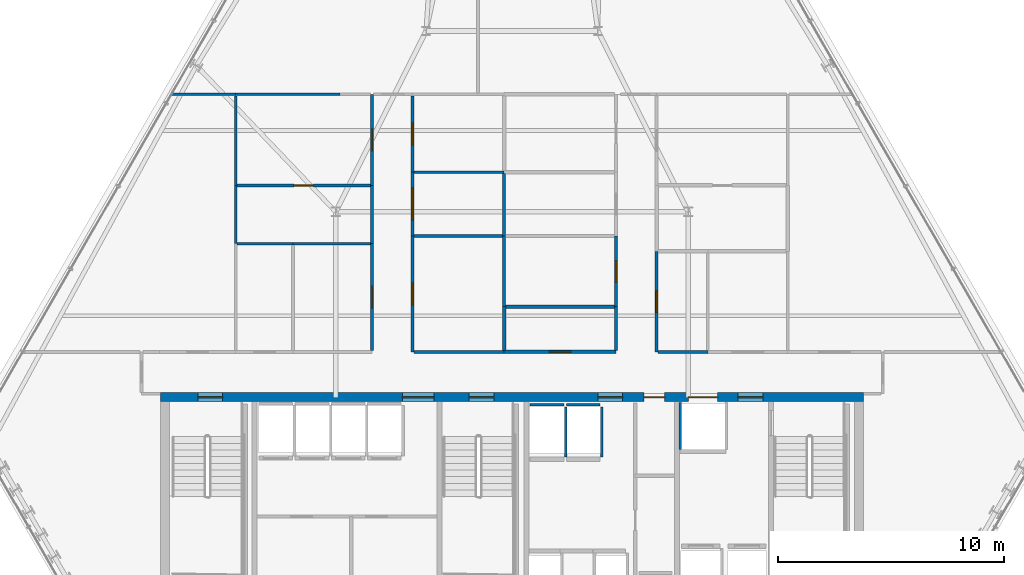
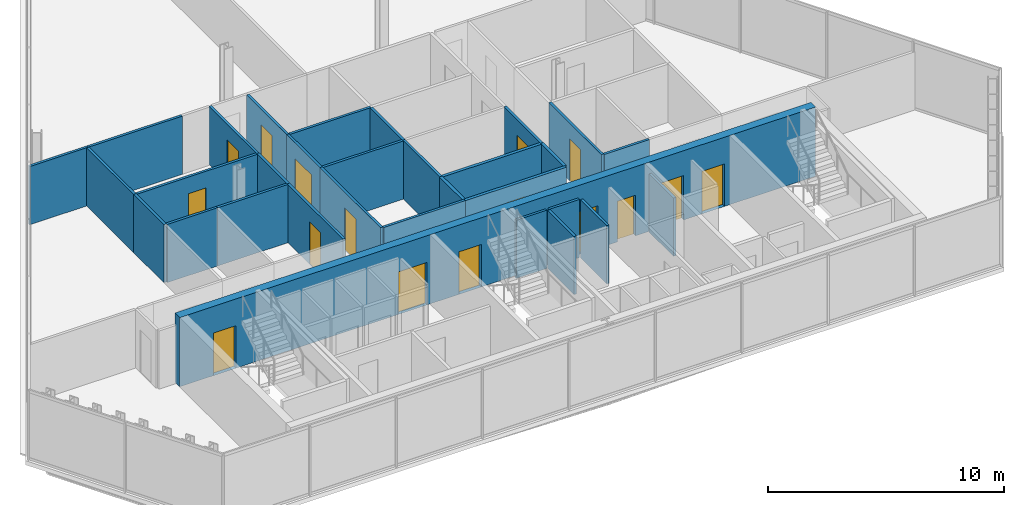
# One storey, part 28 of 33: 31 walls, 16 doors, 16 openings.
"""IFC4 building model written with IfcOpenShell, lengths in metres."""

from ifc_helpers import new_model, si_unit, direction, frame, frame_2d, origin, place, context, subcontext, project, spatial, rectangle, extrude, material, layer, layer_set, type_object, element, fill, save


model = new_model("IFC4")

# Units and contexts
model_context = context("Model", 3, precision=1e-05, world=origin(), true_north=direction((0.0, 1.0)))
body_context = subcontext(model_context, "Body", "Model", "MODEL_VIEW")
ifc_project = project(units=[si_unit("LENGTHUNIT", "METRE"), si_unit("AREAUNIT", "SQUARE_METRE"), si_unit("VOLUMEUNIT", "CUBIC_METRE"), si_unit("PLANEANGLEUNIT", "RADIAN"), si_unit("MASSUNIT", "GRAM", prefix="KILO")], contexts=[model_context])

# Site, building, storey
site_placement = place(None, origin())
site = spatial("IfcSite", under=ifc_project, at=site_placement, CompositionType="ELEMENT")
building_placement = place(site_placement, origin())
building = spatial("IfcBuilding", under=site, at=building_placement, Name="Ndaravel Arena Tower", CompositionType="ELEMENT")
storey_placement = place(building_placement, frame((0.0, 0.0, 184.0)))
storey = spatial("IfcBuildingStorey", under=building, at=storey_placement, Name="L44", CompositionType="ELEMENT", Elevation=184.0)

# Wall, openings, doors
ifc_material_1 = material(Name="Concrete C50/60", Category="concrete")
ifc_layer_1 = layer(ifc_material_1, 0.39990234375)
ifc_layer_set_1 = layer_set([ifc_layer_1], Name="Concrete C50/60")
wall_type_1 = type_object("IfcWallType", Name="WALL-CORE-400", PredefinedType="SOLIDWALL", material=ifc_layer_set_1)
wall_1_placement = place(storey_placement, frame((26.449951171875, 15.0, 0.0), z_axis=(0.0, 0.0, 1.0), x_axis=(1.0, 0.0, 0.0)))
wall_1 = element("IfcWall", 1, at=wall_1_placement, inside=storey, type_object=wall_type_1, Name="L44 Core North Shear Wall", PredefinedType="SOLIDWALL", context=body_context, shape_type="SweptSolid", body=[
    extrude(rectangle(XDim=31.10009765625, YDim=0.39990234375, at=frame_2d((15.550048828125, 0.0))), origin(), (0.0, 0.0, 1.0), 3.580078125),
])
opening_1_placement = place(wall_1_placement, frame((1.64990234375, 0.0, 0.0)))
opening_1 = element("IfcOpeningElement", 2, at=opening_1_placement, cuts=wall_1, Name="Opening FD-01", PredefinedType="OPENING", context=body_context, shape_type="SweptSolid", body=[
    extrude(rectangle(XDim=1.10009765625, YDim=2.199951171875, at=frame_2d((0.550048828125, 1.10009765625))), frame((0.0, 0.199951171875, 0.0), z_axis=(0.0, -1.0, 0.0), x_axis=(1.0, 0.0, 0.0)), (0.0, 0.0, 1.0), 0.39990234375),
])
opening_2_placement = place(wall_1_placement, frame((13.64990234375, 0.0, 0.0)))
opening_2 = element("IfcOpeningElement", 3, at=opening_2_placement, cuts=wall_1, Name="Opening FD-01", PredefinedType="OPENING", context=body_context, shape_type="SweptSolid", body=[
    extrude(rectangle(XDim=1.10009765625, YDim=2.199951171875, at=frame_2d((0.550048828125, 1.10009765625))), frame((0.0, 0.199951171875, 0.0), z_axis=(0.0, -1.0, 0.0), x_axis=(1.0, 0.0, 0.0)), (0.0, 0.0, 1.0), 0.39990234375),
])
opening_3_placement = place(wall_1_placement, frame((25.550048828125, 0.0, 0.0)))
opening_3 = element("IfcOpeningElement", 4, at=opening_3_placement, cuts=wall_1, Name="Opening FD-01", PredefinedType="OPENING", context=body_context, shape_type="SweptSolid", body=[
    extrude(rectangle(XDim=1.10009765625, YDim=2.199951171875, at=frame_2d((0.550048828125, 1.10009765625))), frame((0.0, 0.199951171875, 0.0), z_axis=(0.0, -1.0, 0.0), x_axis=(1.0, 0.0, 0.0)), (0.0, 0.0, 1.0), 0.39990234375),
])
opening_4_placement = place(wall_1_placement, frame((10.699951171875, 0.0, 0.0)))
opening_4 = element("IfcOpeningElement", 5, at=opening_4_placement, cuts=wall_1, Name="Opening ID-02", PredefinedType="OPENING", context=body_context, shape_type="SweptSolid", body=[
    extrude(rectangle(XDim=1.39990234375, YDim=2.199951171875, at=frame_2d((0.699951171875, 1.10009765625))), frame((0.0, 0.199951171875, 0.0), z_axis=(0.0, -1.0, 0.0), x_axis=(1.0, 0.0, 0.0)), (0.0, 0.0, 1.0), 0.39990234375),
])
opening_5_placement = place(wall_1_placement, frame((19.35009765625, 0.0, 0.0)))
opening_5 = element("IfcOpeningElement", 6, at=opening_5_placement, cuts=wall_1, Name="Opening FD-01", PredefinedType="OPENING", context=body_context, shape_type="SweptSolid", body=[
    extrude(rectangle(XDim=1.10009765625, YDim=2.199951171875, at=frame_2d((0.550048828125, 1.10009765625))), frame((0.0, 0.199951171875, 0.0), z_axis=(0.0, -1.0, 0.0), x_axis=(1.0, 0.0, 0.0)), (0.0, 0.0, 1.0), 0.39990234375),
])
opening_6_placement = place(wall_1_placement, frame((21.39990234375, 0.0, 0.0)))
opening_6 = element("IfcOpeningElement", 7, at=opening_6_placement, cuts=wall_1, Name="Opening RD-01", PredefinedType="OPENING", context=body_context, shape_type="SweptSolid", body=[
    extrude(rectangle(XDim=0.89990234375, YDim=2.10009765625, at=frame_2d((0.449951171875, 1.050048828125))), frame((0.0, 0.199951171875, 0.0), z_axis=(0.0, -1.0, 0.0), x_axis=(1.0, 0.0, 0.0)), (0.0, 0.0, 1.0), 0.39990234375),
])
opening_7_placement = place(wall_1_placement, frame((23.35009765625, 0.0, 0.0)))
opening_7 = element("IfcOpeningElement", 8, at=opening_7_placement, cuts=wall_1, Name="Opening LD-02", PredefinedType="OPENING", context=body_context, shape_type="SweptSolid", body=[
    extrude(rectangle(XDim=1.300048828125, YDim=2.300048828125, at=frame_2d((0.64990234375, 1.14990234375))), frame((0.0, 0.199951171875, 0.0), z_axis=(0.0, -1.0, 0.0), x_axis=(1.0, 0.0, 0.0)), (0.0, 0.0, 1.0), 0.39990234375),
])
ifc_material_2 = material(Name="Steel S355", Category="steel")
door_type_1 = type_object("IfcDoorType", Name="DT-01-STAIR-1100", OperationType="SINGLE_SWING_LEFT", PredefinedType="DOOR", material=ifc_material_2)
door_1_placement = place(opening_1_placement, origin())
door_1 = element("IfcDoor", 9, at=door_1_placement, inside=storey, type_object=door_type_1, Name="L44 Exit Stair ST-1 Door", OperationType="SINGLE_SWING_LEFT", OverallHeight=2.199951171875, OverallWidth=1.10009765625, PredefinedType="DOOR", context=body_context, shape_type="SweptSolid", body=[
    extrude(rectangle(XDim=1.10009765625, YDim=2.199951171875, at=frame_2d((0.550048828125, 1.10009765625))), frame((0.0, 0.02490234375, 0.0), z_axis=(0.0, -1.0, 0.0), x_axis=(1.0, 0.0, 0.0)), (0.0, 0.0, 1.0), 0.050048828125),
])
fill(opening_1, door_1)
door_2_placement = place(opening_2_placement, origin())
door_2 = element("IfcDoor", 10, at=door_2_placement, inside=storey, type_object=door_type_1, Name="L44 Exit Stair ST-2 Door", OperationType="SINGLE_SWING_RIGHT", OverallHeight=2.199951171875, OverallWidth=1.10009765625, PredefinedType="DOOR", context=body_context, shape_type="SweptSolid", body=[
    extrude(rectangle(XDim=1.10009765625, YDim=2.199951171875, at=frame_2d((0.550048828125, 1.10009765625))), frame((0.0, 0.02490234375, 0.0), z_axis=(0.0, -1.0, 0.0), x_axis=(1.0, 0.0, 0.0)), (0.0, 0.0, 1.0), 0.050048828125),
])
fill(opening_2, door_2)
door_3_placement = place(opening_3_placement, origin())
door_3 = element("IfcDoor", 11, at=door_3_placement, inside=storey, type_object=door_type_1, Name="L44 Firefighting Lift Lobby Door", OperationType="SINGLE_SWING_RIGHT", OverallHeight=2.199951171875, OverallWidth=1.10009765625, PredefinedType="DOOR", context=body_context, shape_type="SweptSolid", body=[
    extrude(rectangle(XDim=1.10009765625, YDim=2.199951171875, at=frame_2d((0.550048828125, 1.10009765625))), frame((0.0, 0.02490234375, 0.0), z_axis=(0.0, -1.0, 0.0), x_axis=(1.0, 0.0, 0.0)), (0.0, 0.0, 1.0), 0.050048828125),
])
fill(opening_3, door_3)
door_4_placement = place(opening_5_placement, origin())
door_4 = element("IfcDoor", 12, at=door_4_placement, inside=storey, type_object=door_type_1, Name="L44 Express Lift Lobby Entry Door", OperationType="SINGLE_SWING_LEFT", OverallHeight=2.199951171875, OverallWidth=1.10009765625, PredefinedType="DOOR", context=body_context, shape_type="SweptSolid", body=[
    extrude(rectangle(XDim=1.10009765625, YDim=2.199951171875, at=frame_2d((0.550048828125, 1.10009765625))), frame((0.0, 0.02490234375, 0.0), z_axis=(0.0, -1.0, 0.0), x_axis=(1.0, 0.0, 0.0)), (0.0, 0.0, 1.0), 0.050048828125),
])
fill(opening_5, door_4)
ifc_material_3 = material(Name="Timber", Category="wood")
door_type_2 = type_object("IfcDoorType", Name="DT-04-SUITE-1400", OperationType="DOUBLE_DOOR_SINGLE_SWING", PredefinedType="DOOR", material=ifc_material_3)
door_5_placement = place(opening_4_placement, origin())
door_5 = element("IfcDoor", 13, at=door_5_placement, inside=storey, type_object=door_type_2, Name="L44 West Lift Lobby Entry Door", OperationType="DOUBLE_DOOR_SINGLE_SWING", OverallHeight=2.199951171875, OverallWidth=1.39990234375, PredefinedType="DOOR", context=body_context, shape_type="SweptSolid", body=[
    extrude(rectangle(XDim=1.39990234375, YDim=2.199951171875, at=frame_2d((0.699951171875, 1.10009765625))), frame((0.0, 0.02490234375, 0.0), z_axis=(0.0, -1.0, 0.0), x_axis=(1.0, 0.0, 0.0)), (0.0, 0.0, 1.0), 0.050048828125),
])
fill(opening_4, door_5)
ifc_material_4 = material(Name="Steel S355", Category="steel")
door_type_3 = type_object("IfcDoorType", Name="DT-07-SVLIFT-1300", OperationType="DOUBLE_DOOR_SLIDING", PredefinedType="DOOR", material=ifc_material_4)
door_6_placement = place(opening_7_placement, origin())
door_6 = element("IfcDoor", 14, at=door_6_placement, inside=storey, type_object=door_type_3, Name="L44 Lift SVL-1 Sliding Landing Door", OperationType="DOUBLE_DOOR_SLIDING", OverallHeight=2.300048828125, OverallWidth=1.300048828125, PredefinedType="DOOR", context=body_context, shape_type="SweptSolid", body=[
    extrude(rectangle(XDim=1.300048828125, YDim=2.300048828125, at=frame_2d((0.64990234375, 1.14990234375))), frame((0.0, 0.02490234375, 0.0), z_axis=(0.0, -1.0, 0.0), x_axis=(1.0, 0.0, 0.0)), (0.0, 0.0, 1.0), 0.050048828125),
])
fill(opening_7, door_6)
ifc_material_5 = material(Name="Steel S355", Category="steel")
door_type_4 = type_object("IfcDoorType", Name="DT-08-RISER-900", OperationType="SINGLE_SWING_LEFT", PredefinedType="DOOR", material=ifc_material_5)
door_7_placement = place(opening_6_placement, origin())
door_7 = element("IfcDoor", 15, at=door_7_placement, inside=storey, type_object=door_type_4, Name="L44 Core Service Riser North Door", OperationType="SINGLE_SWING_LEFT", OverallHeight=2.10009765625, OverallWidth=0.89990234375, PredefinedType="DOOR", context=body_context, shape_type="SweptSolid", body=[
    extrude(rectangle(XDim=0.89990234375, YDim=2.10009765625, at=frame_2d((0.449951171875, 1.050048828125))), frame((0.0, 0.02490234375, 0.0), z_axis=(0.0, -1.0, 0.0), x_axis=(1.0, 0.0, 0.0)), (0.0, 0.0, 1.0), 0.050048828125),
])
fill(opening_6, door_7)

# Wall, opening, door
ifc_material_6 = material(Name="Gypsum", Category="gypsum")
ifc_layer_2 = layer(ifc_material_6, 0.125)
ifc_layer_set_2 = layer_set([ifc_layer_2], Name="Gypsum")
wall_type_2 = type_object("IfcWallType", Name="WALL-PART-125", PredefinedType="PARTITIONING", material=ifc_layer_set_2)
wall_2_placement = place(storey_placement, frame((35.800048828125, 17.06494140625, 0.0), z_axis=(0.0, 0.0, 1.0), x_axis=(0.0, 1.0, 0.0)))
wall_2 = element("IfcWall", 16, at=wall_2_placement, inside=storey, type_object=wall_type_2, Name="L44 Interior Partition 009", PredefinedType="PARTITIONING", context=body_context, shape_type="SweptSolid", body=[
    extrude(rectangle(XDim=4.72314453125, YDim=0.125, at=frame_2d((2.361572265625, 0.0))), origin(), (0.0, 0.0, 1.0), 3.010498046875),
])
opening_8_placement = place(wall_2_placement, frame((1.886474609375, 0.0, 0.0)))
opening_8 = element("IfcOpeningElement", 17, at=opening_8_placement, cuts=wall_2, Name="Opening ID-01", PredefinedType="OPENING", context=body_context, shape_type="SweptSolid", body=[
    extrude(rectangle(XDim=0.949951171875, YDim=2.199951171875, at=frame_2d((0.47509765625, 1.10009765625))), frame((0.0, 0.0625, 0.0), z_axis=(0.0, -1.0, 0.0), x_axis=(1.0, 0.0, 0.0)), (0.0, 0.0, 1.0), 0.125),
])
ifc_material_7 = material(Name="Timber", Category="wood")
door_type_5 = type_object("IfcDoorType", Name="DT-03-OFFICE-950", OperationType="SINGLE_SWING_LEFT", PredefinedType="DOOR", material=ifc_material_7)
door_8_placement = place(opening_8_placement, origin())
door_8 = element("IfcDoor", 18, at=door_8_placement, inside=storey, type_object=door_type_5, Name="L44 Tenant Mail & Post Room 2 Door", OperationType="SINGLE_SWING_LEFT", OverallHeight=2.199951171875, OverallWidth=0.949951171875, PredefinedType="DOOR", context=body_context, shape_type="SweptSolid", body=[
    extrude(rectangle(XDim=0.949951171875, YDim=2.199951171875, at=frame_2d((0.47509765625, 1.10009765625))), frame((0.0, 0.02490234375, 0.0), z_axis=(0.0, -1.0, 0.0), x_axis=(1.0, 0.0, 0.0)), (0.0, 0.0, 1.0), 0.050048828125),
])
fill(opening_8, door_8)

# Wall
wall_3_placement = place(storey_placement, frame((35.800048828125, 21.7880859375, 0.0), z_axis=(0.0, 0.0, 1.0), x_axis=(0.0, 1.0, 0.0)))
element("IfcWall", 19, at=wall_3_placement, inside=storey, type_object=wall_type_2, Name="L44 Interior Partition 010", PredefinedType="PARTITIONING", context=body_context, shape_type="SweptSolid", body=[
    extrude(rectangle(XDim=2.57861328125, YDim=0.125, at=frame_2d((1.289306640625, 0.0))), origin(), (0.0, 0.0, 1.0), 3.010498046875),
])

# Wall, opening, door
wall_4_placement = place(storey_placement, frame((35.800048828125, 24.36669921875, 0.0), z_axis=(0.0, 0.0, 1.0), x_axis=(0.0, 1.0, 0.0)))
wall_4 = element("IfcWall", 20, at=wall_4_placement, inside=storey, type_object=wall_type_2, Name="L44 Interior Partition 011", PredefinedType="PARTITIONING", context=body_context, shape_type="SweptSolid", body=[
    extrude(rectangle(XDim=4.033203125, YDim=0.125, at=frame_2d((2.0166015625, 0.0))), origin(), (0.0, 0.0, 1.0), 3.010498046875),
])
opening_9_placement = place(wall_4_placement, frame((1.54150390625, 0.0, 0.0)))
opening_9 = element("IfcOpeningElement", 21, at=opening_9_placement, cuts=wall_4, Name="Opening ID-01", PredefinedType="OPENING", context=body_context, shape_type="SweptSolid", body=[
    extrude(rectangle(XDim=0.949951171875, YDim=2.199951171875, at=frame_2d((0.47509765625, 1.10009765625))), frame((0.0, 0.0625, 0.0), z_axis=(0.0, -1.0, 0.0), x_axis=(1.0, 0.0, 0.0)), (0.0, 0.0, 1.0), 0.125),
])
door_9_placement = place(opening_9_placement, origin())
door_9 = element("IfcDoor", 22, at=door_9_placement, inside=storey, type_object=door_type_5, Name="L44 Project Seminar Room 7 Door", OperationType="SINGLE_SWING_RIGHT", OverallHeight=2.199951171875, OverallWidth=0.949951171875, PredefinedType="DOOR", context=body_context, shape_type="SweptSolid", body=[
    extrude(rectangle(XDim=0.949951171875, YDim=2.199951171875, at=frame_2d((0.47509765625, 1.10009765625))), frame((0.0, 0.02490234375, 0.0), z_axis=(0.0, -1.0, 0.0), x_axis=(1.0, 0.0, 0.0)), (0.0, 0.0, 1.0), 0.050048828125),
])
fill(opening_9, door_9)

wall_5_placement = place(storey_placement, frame((37.60009765625, 28.3349609375, 0.0), z_axis=(0.0, 0.0, 1.0), x_axis=(0.0, -1.0, 0.0)))
wall_5 = element("IfcWall", 23, at=wall_5_placement, inside=storey, type_object=wall_type_2, Name="L44 Interior Partition 013", PredefinedType="PARTITIONING", context=body_context, shape_type="SweptSolid", body=[
    extrude(rectangle(XDim=3.383544921875, YDim=0.125, at=frame_2d((1.69189453125, 0.0))), origin(), (0.0, 0.0, 1.0), 3.010498046875),
])
opening_10_placement = place(wall_5_placement, frame((1.216796875, 0.0, 0.0)))
opening_10 = element("IfcOpeningElement", 24, at=opening_10_placement, cuts=wall_5, Name="Opening ID-01", PredefinedType="OPENING", context=body_context, shape_type="SweptSolid", body=[
    extrude(rectangle(XDim=0.949951171875, YDim=2.199951171875, at=frame_2d((0.47509765625, 1.10009765625))), frame((0.0, 0.0625, 0.0), z_axis=(0.0, -1.0, 0.0), x_axis=(1.0, 0.0, 0.0)), (0.0, 0.0, 1.0), 0.125),
])
door_10_placement = place(opening_10_placement, origin())
door_10 = element("IfcDoor", 25, at=door_10_placement, inside=storey, type_object=door_type_5, Name="L44 Training Classroom 8 Door", OperationType="SINGLE_SWING_RIGHT", OverallHeight=2.199951171875, OverallWidth=0.949951171875, PredefinedType="DOOR", context=body_context, shape_type="SweptSolid", body=[
    extrude(rectangle(XDim=0.949951171875, YDim=2.199951171875, at=frame_2d((0.47509765625, 1.10009765625))), frame((0.0, 0.02490234375, 0.0), z_axis=(0.0, -1.0, 0.0), x_axis=(1.0, 0.0, 0.0)), (0.0, 0.0, 1.0), 0.050048828125),
])
fill(opening_10, door_10)

wall_6_placement = place(storey_placement, frame((37.60009765625, 24.951416015625, 0.0), z_axis=(0.0, 0.0, 1.0), x_axis=(0.0, -1.0, 0.0)))
wall_6 = element("IfcWall", 26, at=wall_6_placement, inside=storey, type_object=wall_type_2, Name="L44 Interior Partition 014", PredefinedType="PARTITIONING", context=body_context, shape_type="SweptSolid", body=[
    extrude(rectangle(XDim=2.821533203125, YDim=0.125, at=frame_2d((1.41064453125, 0.0))), origin(), (0.0, 0.0, 1.0), 3.010498046875),
])
opening_11_placement = place(wall_6_placement, frame((0.710693359375, 0.0, 0.0)))
opening_11 = element("IfcOpeningElement", 27, at=opening_11_placement, cuts=wall_6, Name="Opening ID-02", PredefinedType="OPENING", context=body_context, shape_type="SweptSolid", body=[
    extrude(rectangle(XDim=1.39990234375, YDim=2.199951171875, at=frame_2d((0.699951171875, 1.10009765625))), frame((0.0, 0.0625, 0.0), z_axis=(0.0, -1.0, 0.0), x_axis=(1.0, 0.0, 0.0)), (0.0, 0.0, 1.0), 0.125),
])
door_11_placement = place(opening_11_placement, origin())
door_11 = element("IfcDoor", 28, at=door_11_placement, inside=storey, type_object=door_type_2, Name="L44 Client Conference Room 6 Door", OperationType="SINGLE_SWING_RIGHT", OverallHeight=2.199951171875, OverallWidth=1.39990234375, PredefinedType="DOOR", context=body_context, shape_type="SweptSolid", body=[
    extrude(rectangle(XDim=1.39990234375, YDim=2.199951171875, at=frame_2d((0.699951171875, 1.10009765625))), frame((0.0, 0.02490234375, 0.0), z_axis=(0.0, -1.0, 0.0), x_axis=(1.0, 0.0, 0.0)), (0.0, 0.0, 1.0), 0.050048828125),
])
fill(opening_11, door_11)

wall_7_placement = place(storey_placement, frame((37.60009765625, 22.1298828125, 0.0), z_axis=(0.0, 0.0, 1.0), x_axis=(0.0, -1.0, 0.0)))
wall_7 = element("IfcWall", 29, at=wall_7_placement, inside=storey, type_object=wall_type_2, Name="L44 Interior Partition 015", PredefinedType="PARTITIONING", context=body_context, shape_type="SweptSolid", body=[
    extrude(rectangle(XDim=5.1298828125, YDim=0.125, at=frame_2d((2.56494140625, 0.0))), origin(), (0.0, 0.0, 1.0), 3.010498046875),
])
opening_12_placement = place(wall_7_placement, frame((2.090087890625, 0.0, 0.0)))
opening_12 = element("IfcOpeningElement", 30, at=opening_12_placement, cuts=wall_7, Name="Opening ID-01", PredefinedType="OPENING", context=body_context, shape_type="SweptSolid", body=[
    extrude(rectangle(XDim=0.949951171875, YDim=2.199951171875, at=frame_2d((0.47509765625, 1.10009765625))), frame((0.0, 0.0625, 0.0), z_axis=(0.0, -1.0, 0.0), x_axis=(1.0, 0.0, 0.0)), (0.0, 0.0, 1.0), 0.125),
])
door_12_placement = place(opening_12_placement, origin())
door_12 = element("IfcDoor", 31, at=door_12_placement, inside=storey, type_object=door_type_5, Name="L44 Facilities Operations Room 3 Door", OperationType="SINGLE_SWING_RIGHT", OverallHeight=2.199951171875, OverallWidth=0.949951171875, PredefinedType="DOOR", context=body_context, shape_type="SweptSolid", body=[
    extrude(rectangle(XDim=0.949951171875, YDim=2.199951171875, at=frame_2d((0.47509765625, 1.10009765625))), frame((0.0, 0.02490234375, 0.0), z_axis=(0.0, -1.0, 0.0), x_axis=(1.0, 0.0, 0.0)), (0.0, 0.0, 1.0), 0.050048828125),
])
fill(opening_12, door_12)

# Wall
wall_8_placement = place(storey_placement, frame((37.6650390625, 17.0, 0.0), z_axis=(0.0, 0.0, 1.0), x_axis=(1.0, 0.0, 0.0)))
element("IfcWall", 32, at=wall_8_placement, inside=storey, type_object=wall_type_2, Name="L44 Interior Partition 016", PredefinedType="PARTITIONING", context=body_context, shape_type="SweptSolid", body=[
    extrude(rectangle(XDim=3.98486328125, YDim=0.125, at=frame_2d((1.992431640625, 0.0))), origin(), (0.0, 0.0, 1.0), 3.010498046875),
])

# Wall, opening, door
wall_9_placement = place(storey_placement, frame((46.60009765625, 19.000732421875, 0.0), z_axis=(0.0, 0.0, 1.0), x_axis=(0.0, 1.0, 0.0)))
wall_9 = element("IfcWall", 33, at=wall_9_placement, inside=storey, type_object=wall_type_2, Name="L44 Interior Partition 019", PredefinedType="PARTITIONING", context=body_context, shape_type="SweptSolid", body=[
    extrude(rectangle(XDim=3.129150390625, YDim=0.125, at=frame_2d((1.564453125, 0.0))), origin(), (0.0, 0.0, 1.0), 3.010498046875),
])
opening_13_placement = place(wall_9_placement, frame((1.089599609375, 0.0, 0.0)))
opening_13 = element("IfcOpeningElement", 34, at=opening_13_placement, cuts=wall_9, Name="Opening ID-01", PredefinedType="OPENING", context=body_context, shape_type="SweptSolid", body=[
    extrude(rectangle(XDim=0.949951171875, YDim=2.199951171875, at=frame_2d((0.47509765625, 1.10009765625))), frame((0.0, 0.0625, 0.0), z_axis=(0.0, -1.0, 0.0), x_axis=(1.0, 0.0, 0.0)), (0.0, 0.0, 1.0), 0.125),
])
door_13_placement = place(opening_13_placement, origin())
door_13 = element("IfcDoor", 35, at=door_13_placement, inside=storey, type_object=door_type_5, Name="L44 Training Classroom 4 Door", OperationType="SINGLE_SWING_LEFT", OverallHeight=2.199951171875, OverallWidth=0.949951171875, PredefinedType="DOOR", context=body_context, shape_type="SweptSolid", body=[
    extrude(rectangle(XDim=0.949951171875, YDim=2.199951171875, at=frame_2d((0.47509765625, 1.10009765625))), frame((0.0, 0.02490234375, 0.0), z_axis=(0.0, -1.0, 0.0), x_axis=(1.0, 0.0, 0.0)), (0.0, 0.0, 1.0), 0.050048828125),
])
fill(opening_13, door_13)

wall_10_placement = place(storey_placement, frame((48.39990234375, 21.446044921875, 0.0), z_axis=(0.0, 0.0, 1.0), x_axis=(0.0, -1.0, 0.0)))
wall_10 = element("IfcWall", 36, at=wall_10_placement, inside=storey, type_object=wall_type_2, Name="L44 Interior Partition 025", PredefinedType="PARTITIONING", context=body_context, shape_type="SweptSolid", body=[
    extrude(rectangle(XDim=4.446044921875, YDim=0.125, at=frame_2d((2.22314453125, 0.0))), origin(), (0.0, 0.0, 1.0), 3.010498046875),
])
opening_14_placement = place(wall_10_placement, frame((1.748046875, 0.0, 0.0)))
opening_14 = element("IfcOpeningElement", 37, at=opening_14_placement, cuts=wall_10, Name="Opening ID-01", PredefinedType="OPENING", context=body_context, shape_type="SweptSolid", body=[
    extrude(rectangle(XDim=0.949951171875, YDim=2.199951171875, at=frame_2d((0.47509765625, 1.10009765625))), frame((0.0, 0.0625, 0.0), z_axis=(0.0, -1.0, 0.0), x_axis=(1.0, 0.0, 0.0)), (0.0, 0.0, 1.0), 0.125),
])
door_14_placement = place(opening_14_placement, origin())
door_14 = element("IfcDoor", 38, at=door_14_placement, inside=storey, type_object=door_type_5, Name="L44 Staff Wellness Clinic Door", OperationType="SINGLE_SWING_RIGHT", OverallHeight=2.199951171875, OverallWidth=0.949951171875, PredefinedType="DOOR", context=body_context, shape_type="SweptSolid", body=[
    extrude(rectangle(XDim=0.949951171875, YDim=2.199951171875, at=frame_2d((0.47509765625, 1.10009765625))), frame((0.0, 0.02490234375, 0.0), z_axis=(0.0, -1.0, 0.0), x_axis=(1.0, 0.0, 0.0)), (0.0, 0.0, 1.0), 0.050048828125),
])
fill(opening_14, door_14)

# Walls
wall_11_placement = place(storey_placement, frame((48.465087890625, 17.0, 0.0), z_axis=(0.0, 0.0, 1.0), x_axis=(1.0, 0.0, 0.0)))
element("IfcWall", 39, at=wall_11_placement, inside=storey, type_object=wall_type_2, Name="L44 Interior Partition 026", PredefinedType="PARTITIONING", context=body_context, shape_type="SweptSolid", body=[
    extrude(rectangle(XDim=2.197021484375, YDim=0.125, at=frame_2d((1.0986328125, 0.0))), origin(), (0.0, 0.0, 1.0), 3.010498046875),
])
wall_12_placement = place(storey_placement, frame((29.841064453125, 21.7880859375, 0.0), z_axis=(0.0, 0.0, 1.0), x_axis=(1.0, 0.0, 0.0)))
element("IfcWall", 40, at=wall_12_placement, inside=storey, type_object=wall_type_2, Name="L44 Interior Partition 038", PredefinedType="PARTITIONING", context=body_context, shape_type="SweptSolid", body=[
    extrude(rectangle(XDim=2.465087890625, YDim=0.125, at=frame_2d((1.232421875, 0.0))), origin(), (0.0, 0.0, 1.0), 3.010498046875),
])
wall_13_placement = place(storey_placement, frame((32.30615234375, 21.7880859375, 0.0), z_axis=(0.0, 0.0, 1.0), x_axis=(1.0, 0.0, 0.0)))
element("IfcWall", 41, at=wall_13_placement, inside=storey, type_object=wall_type_2, Name="L44 Interior Partition 040", PredefinedType="PARTITIONING", context=body_context, shape_type="SweptSolid", body=[
    extrude(rectangle(XDim=3.428955078125, YDim=0.125, at=frame_2d((1.71435546875, 0.0))), origin(), (0.0, 0.0, 1.0), 3.010498046875),
])
wall_14_placement = place(storey_placement, frame((41.64990234375, 22.1298828125, 0.0), z_axis=(0.0, 0.0, 1.0), x_axis=(0.0, -1.0, 0.0)))
element("IfcWall", 42, at=wall_14_placement, inside=storey, type_object=wall_type_2, Name="L44 Interior Partition 041", PredefinedType="PARTITIONING", context=body_context, shape_type="SweptSolid", body=[
    extrude(rectangle(XDim=3.129150390625, YDim=0.125, at=frame_2d((1.564453125, 0.0))), origin(), (0.0, 0.0, 1.0), 3.010498046875),
])
wall_15_placement = place(storey_placement, frame((37.6650390625, 22.1298828125, 0.0), z_axis=(0.0, 0.0, 1.0), x_axis=(1.0, 0.0, 0.0)))
element("IfcWall", 43, at=wall_15_placement, inside=storey, type_object=wall_type_2, Name="L44 Interior Partition 042", PredefinedType="PARTITIONING", context=body_context, shape_type="SweptSolid", body=[
    extrude(rectangle(XDim=3.919921875, YDim=0.125, at=frame_2d((1.9599609375, 0.0))), origin(), (0.0, 0.0, 1.0), 3.010498046875),
])
wall_16_placement = place(storey_placement, frame((26.935791015625, 28.39990234375, 0.0), z_axis=(0.0, 0.0, 1.0), x_axis=(1.0, 0.0, 0.0)))
element("IfcWall", 44, at=wall_16_placement, inside=storey, type_object=wall_type_2, Name="L44 Interior Partition 044", PredefinedType="PARTITIONING", context=body_context, shape_type="SweptSolid", body=[
    extrude(rectangle(XDim=2.84033203125, YDim=0.125, at=frame_2d((1.420166015625, 0.0))), origin(), (0.0, 0.0, 1.0), 3.010498046875),
])
wall_17_placement = place(storey_placement, frame((29.776123046875, 28.3349609375, 0.0), z_axis=(0.0, 0.0, 1.0), x_axis=(0.0, -1.0, 0.0)))
element("IfcWall", 45, at=wall_17_placement, inside=storey, type_object=wall_type_2, Name="L44 Interior Partition 045", PredefinedType="PARTITIONING", context=body_context, shape_type="SweptSolid", body=[
    extrude(rectangle(XDim=3.96826171875, YDim=0.125, at=frame_2d((1.984130859375, 0.0))), origin(), (0.0, 0.0, 1.0), 3.010498046875),
])
wall_18_placement = place(storey_placement, frame((29.776123046875, 24.36669921875, 0.0), z_axis=(0.0, 0.0, 1.0), x_axis=(0.0, -1.0, 0.0)))
element("IfcWall", 46, at=wall_18_placement, inside=storey, type_object=wall_type_2, Name="L44 Interior Partition 046", PredefinedType="PARTITIONING", context=body_context, shape_type="SweptSolid", body=[
    extrude(rectangle(XDim=2.57861328125, YDim=0.125, at=frame_2d((1.289306640625, 0.0))), origin(), (0.0, 0.0, 1.0), 3.010498046875),
])
wall_19_placement = place(storey_placement, frame((37.6650390625, 24.951416015625, 0.0), z_axis=(0.0, 0.0, 1.0), x_axis=(1.0, 0.0, 0.0)))
element("IfcWall", 47, at=wall_19_placement, inside=storey, type_object=wall_type_2, Name="L44 Interior Partition 052", PredefinedType="PARTITIONING", context=body_context, shape_type="SweptSolid", body=[
    extrude(rectangle(XDim=3.98486328125, YDim=0.125, at=frame_2d((1.992431640625, 0.0))), origin(), (0.0, 0.0, 1.0), 3.010498046875),
])
wall_20_placement = place(storey_placement, frame((41.64990234375, 24.886474609375, 0.0), z_axis=(0.0, 0.0, 1.0), x_axis=(0.0, -1.0, 0.0)))
element("IfcWall", 48, at=wall_20_placement, inside=storey, type_object=wall_type_2, Name="L44 Interior Partition 053", PredefinedType="PARTITIONING", context=body_context, shape_type="SweptSolid", body=[
    extrude(rectangle(XDim=2.756591796875, YDim=0.125, at=frame_2d((1.37841796875, 0.0))), origin(), (0.0, 0.0, 1.0), 3.010498046875),
])
wall_21_placement = place(storey_placement, frame((29.776123046875, 28.39990234375, 0.0), z_axis=(0.0, 0.0, 1.0), x_axis=(1.0, 0.0, 0.0)))
element("IfcWall", 49, at=wall_21_placement, inside=storey, type_object=wall_type_2, Name="L44 Interior Partition 055", PredefinedType="PARTITIONING", context=body_context, shape_type="SweptSolid", body=[
    extrude(rectangle(XDim=4.623779296875, YDim=0.125, at=frame_2d((2.31201171875, 0.0))), origin(), (0.0, 0.0, 1.0), 3.010498046875),
])
ifc_material_8 = material(Name="Concrete C40/50", Category="concrete")
ifc_layer_3 = layer(ifc_material_8, 0.1201171875)
ifc_layer_set_3 = layer_set([ifc_layer_3], Name="Concrete C40/50")
wall_type_3 = type_object("IfcWallType", Name="WALL-SHAFT-120", PredefinedType="SOLIDWALL", material=ifc_layer_set_3)
wall_22_placement = place(storey_placement, frame((42.804931640625, 14.659912109375, 0.0), z_axis=(0.0, 0.0, 1.0), x_axis=(1.0, 0.0, 0.0)))
element("IfcWall", 50, at=wall_22_placement, inside=storey, type_object=wall_type_3, Name="L44 PL-OBS1 Shaft Rear Wall", PredefinedType="SOLIDWALL", context=body_context, shape_type="SweptSolid", body=[
    extrude(rectangle(XDim=1.489990234375, YDim=0.1201171875, at=frame_2d((0.7451171875, 0.0))), origin(), (0.0, 0.0, 1.0), 3.010498046875),
])
wall_23_placement = place(storey_placement, frame((44.375, 12.340087890625, 0.0), z_axis=(0.0, 0.0, 1.0), x_axis=(0.0, 1.0, 0.0)))
element("IfcWall", 51, at=wall_23_placement, inside=storey, type_object=wall_type_3, Name="L44 PL-OBS1 Shaft Side R Wall", PredefinedType="SOLIDWALL", context=body_context, shape_type="SweptSolid", body=[
    extrude(rectangle(XDim=2.22998046875, YDim=0.1201171875, at=frame_2d((1.114990234375, 0.0))), origin(), (0.0, 0.0, 1.0), 3.010498046875),
])
wall_24_placement = place(storey_placement, frame((44.405029296875, 14.659912109375, 0.0), z_axis=(0.0, 0.0, 1.0), x_axis=(1.0, 0.0, 0.0)))
element("IfcWall", 52, at=wall_24_placement, inside=storey, type_object=wall_type_3, Name="L44 PL-OBS2 Shaft Rear Wall", PredefinedType="SOLIDWALL", context=body_context, shape_type="SweptSolid", body=[
    extrude(rectangle(XDim=1.489990234375, YDim=0.1201171875, at=frame_2d((0.7451171875, 0.0))), origin(), (0.0, 0.0, 1.0), 3.010498046875),
])
wall_25_placement = place(storey_placement, frame((45.97509765625, 12.340087890625, 0.0), z_axis=(0.0, 0.0, 1.0), x_axis=(0.0, 1.0, 0.0)))
element("IfcWall", 53, at=wall_25_placement, inside=storey, type_object=wall_type_3, Name="L44 PL-OBS2 Shaft Side R Wall", PredefinedType="SOLIDWALL", context=body_context, shape_type="SweptSolid", body=[
    extrude(rectangle(XDim=2.22998046875, YDim=0.1201171875, at=frame_2d((1.114990234375, 0.0))), origin(), (0.0, 0.0, 1.0), 3.010498046875),
])
wall_26_placement = place(storey_placement, frame((49.43994140625, 12.68994140625, 0.0), z_axis=(0.0, 0.0, 1.0), x_axis=(0.0, 1.0, 0.0)))
element("IfcWall", 54, at=wall_26_placement, inside=storey, type_object=wall_type_3, Name="L44 SVL-1 Shaft W Wall", PredefinedType="SOLIDWALL", context=body_context, shape_type="SweptSolid", body=[
    extrude(rectangle(XDim=2.070068359375, YDim=0.1201171875, at=frame_2d((1.03515625, 0.0))), origin(), (0.0, 0.0, 1.0), 3.010498046875),
])

# Wall, opening, door
ifc_material_9 = material(Name="Masonry", Category="masonry")
ifc_layer_4 = layer(ifc_material_9, 0.14990234375)
ifc_layer_set_4 = layer_set([ifc_layer_4], Name="Masonry")
wall_type_4 = type_object("IfcWallType", Name="WALL-WET-150", PredefinedType="PARTITIONING", material=ifc_layer_set_4)
wall_27_placement = place(storey_placement, frame((41.64990234375, 17.0, 0.0), z_axis=(0.0, 0.0, 1.0), x_axis=(1.0, 0.0, 0.0)))
wall_27 = element("IfcWall", 55, at=wall_27_placement, inside=storey, type_object=wall_type_4, Name="L44 Interior Partition 017", PredefinedType="PARTITIONING", context=body_context, shape_type="SweptSolid", body=[
    extrude(rectangle(XDim=4.9501953125, YDim=0.14990234375, at=frame_2d((2.47509765625, 0.0))), origin(), (0.0, 0.0, 1.0), 3.010498046875),
])
opening_15_placement = place(wall_27_placement, frame((2.0, 0.0, 0.0)))
opening_15 = element("IfcOpeningElement", 56, at=opening_15_placement, cuts=wall_27, Name="Opening FD-03", PredefinedType="OPENING", context=body_context, shape_type="SweptSolid", body=[
    extrude(rectangle(XDim=0.949951171875, YDim=2.199951171875, at=frame_2d((0.47509765625, 1.10009765625))), frame((0.0, 0.074951171875, 0.0), z_axis=(0.0, -1.0, 0.0), x_axis=(1.0, 0.0, 0.0)), (0.0, 0.0, 1.0), 0.14990234375),
])
ifc_material_10 = material(Name="Steel S355", Category="steel")
door_type_6 = type_object("IfcDoorType", Name="DT-11-CORE-950", OperationType="SINGLE_SWING_LEFT", PredefinedType="DOOR", material=ifc_material_10)
door_15_placement = place(opening_15_placement, origin())
door_15 = element("IfcDoor", 57, at=door_15_placement, inside=storey, type_object=door_type_6, Name="L44 Staff Espresso Kitchen Door", OperationType="SINGLE_SWING_LEFT", OverallHeight=2.199951171875, OverallWidth=0.949951171875, PredefinedType="DOOR", context=body_context, shape_type="SweptSolid", body=[
    extrude(rectangle(XDim=0.949951171875, YDim=2.199951171875, at=frame_2d((0.47509765625, 1.10009765625))), frame((0.0, 0.02490234375, 0.0), z_axis=(0.0, -1.0, 0.0), x_axis=(1.0, 0.0, 0.0)), (0.0, 0.0, 1.0), 0.050048828125),
])
fill(opening_15, door_15)

# Walls
for number, where, z_axis, x_axis, name in (
    (58, (46.60009765625, 17.06494140625, 0.0), (0.0, 0.0, 1.0), (0.0, 1.0, 0.0), "L44 Interior Partition 018"),
    (59, (41.64990234375, 17.06494140625, 0.0), (0.0, 0.0, 1.0), (0.0, 1.0, 0.0), "L44 Interior Partition 031"),
):
    element("IfcWall", number, at=place(storey_placement, frame(where, z_axis=z_axis, x_axis=x_axis)), inside=storey, type_object=wall_type_4, Name=name, PredefinedType="PARTITIONING", context=body_context, shape_type="SweptSolid", body=[
        extrude(rectangle(XDim=1.935791015625, YDim=0.14990234375, at=frame_2d((0.9677734375, 0.0))), origin(), (0.0, 0.0, 1.0), 3.010498046875),
    ])
wall_28_placement = place(storey_placement, frame((41.715087890625, 19.000732421875, 0.0), z_axis=(0.0, 0.0, 1.0), x_axis=(1.0, 0.0, 0.0)))
element("IfcWall", 60, at=wall_28_placement, inside=storey, type_object=wall_type_4, Name="L44 Interior Partition 032", PredefinedType="PARTITIONING", context=body_context, shape_type="SweptSolid", body=[
    extrude(rectangle(XDim=4.81982421875, YDim=0.14990234375, at=frame_2d((2.409912109375, 0.0))), origin(), (0.0, 0.0, 1.0), 3.010498046875),
])

# Wall, opening, door
wall_29_placement = place(storey_placement, frame((29.841064453125, 24.36669921875, 0.0), z_axis=(0.0, 0.0, 1.0), x_axis=(1.0, 0.0, 0.0)))
wall_29 = element("IfcWall", 61, at=wall_29_placement, inside=storey, type_object=wall_type_4, Name="L44 Interior Partition 051", PredefinedType="PARTITIONING", context=body_context, shape_type="SweptSolid", body=[
    extrude(rectangle(XDim=5.89404296875, YDim=0.125, at=frame_2d((2.947021484375, 0.0))), origin(), (0.0, 0.0, 1.0), 3.010498046875),
])
opening_16_placement = place(wall_29_placement, frame((2.52197265625, 0.0, 0.0)))
opening_16 = element("IfcOpeningElement", 62, at=opening_16_placement, cuts=wall_29, Name="Opening ID-03", PredefinedType="OPENING", context=body_context, shape_type="SweptSolid", body=[
    extrude(rectangle(XDim=0.85009765625, YDim=2.14990234375, at=frame_2d((0.425048828125, 1.074951171875))), frame((0.0, 0.0625, 0.0), z_axis=(0.0, -1.0, 0.0), x_axis=(1.0, 0.0, 0.0)), (0.0, 0.0, 1.0), 0.125),
])
ifc_material_11 = material(Name="Timber", Category="wood")
door_type_7 = type_object("IfcDoorType", Name="DT-12-SUB-850", OperationType="SINGLE_SWING_LEFT", PredefinedType="DOOR", material=ifc_material_11)
door_16_placement = place(opening_16_placement, origin())
door_16 = element("IfcDoor", 63, at=door_16_placement, inside=storey, type_object=door_type_7, Name="L44 Floor Security Control Room 5 Door", OperationType="SINGLE_SWING_LEFT", OverallHeight=2.14990234375, OverallWidth=0.85009765625, PredefinedType="DOOR", context=body_context, shape_type="SweptSolid", body=[
    extrude(rectangle(XDim=0.85009765625, YDim=2.14990234375, at=frame_2d((0.425048828125, 1.074951171875))), frame((0.0, 0.02490234375, 0.0), z_axis=(0.0, -1.0, 0.0), x_axis=(1.0, 0.0, 0.0)), (0.0, 0.0, 1.0), 0.050048828125),
])
fill(opening_16, door_16)

save(model, "model.ifc")
